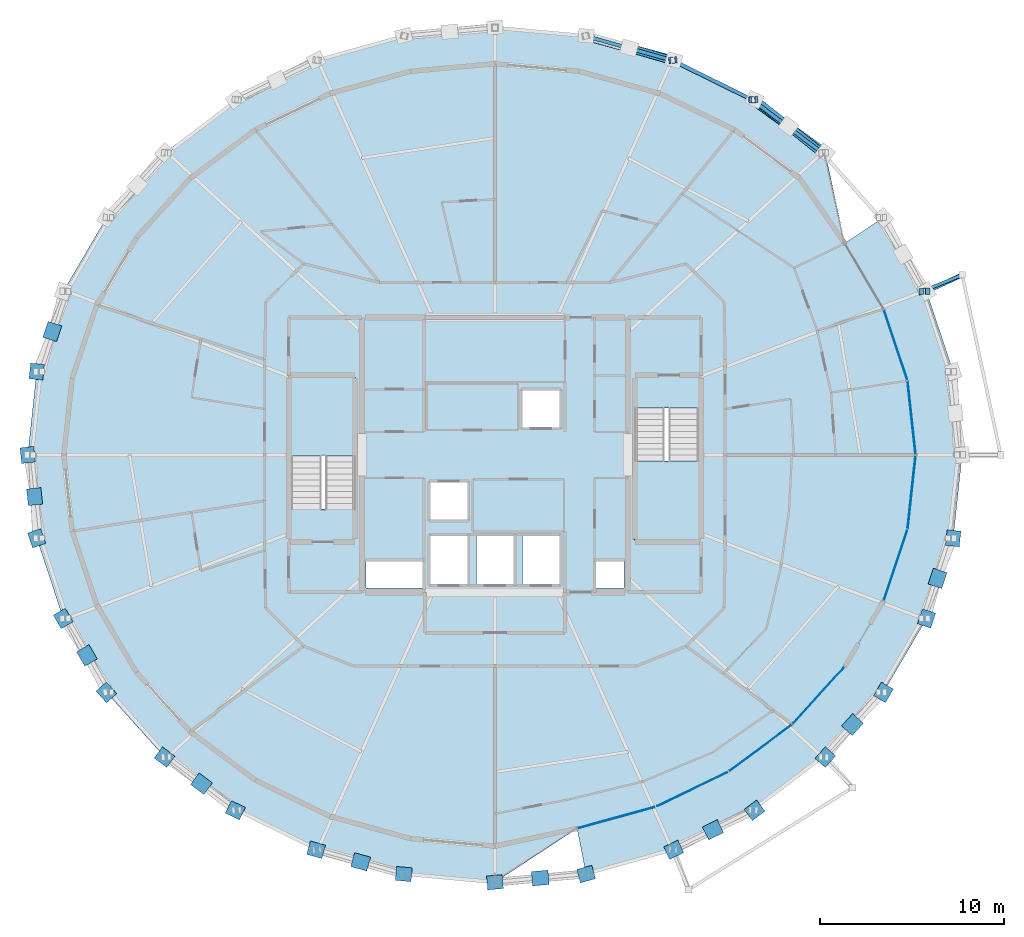
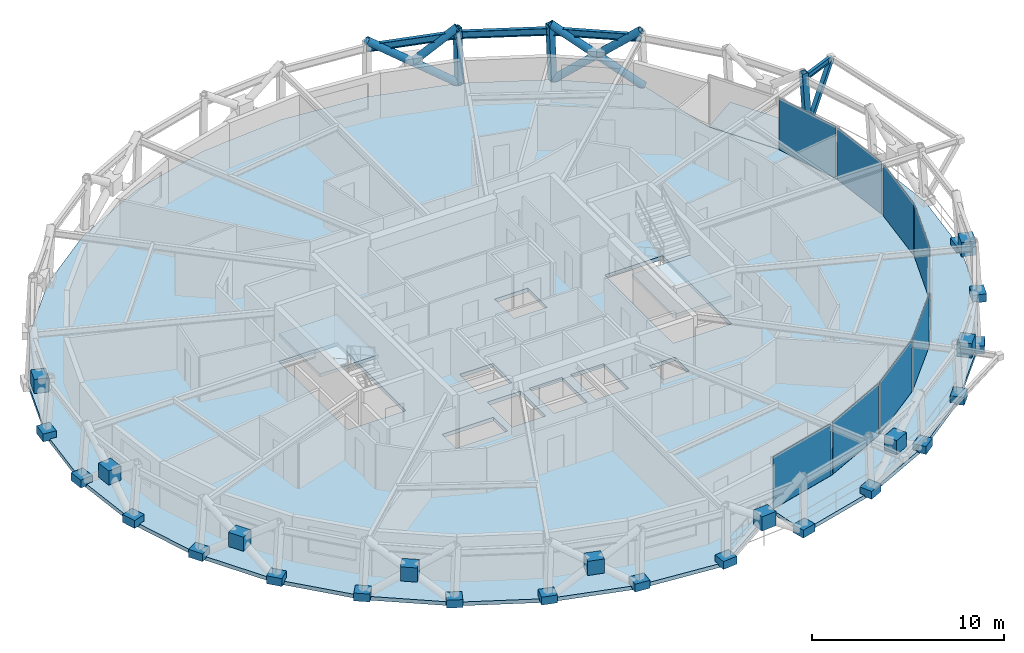
# One storey, part 12 of 18: 34 plates, 9 members, 4 beams, 4 slabs, 4 elements without a shape of their own.
"""IFC4 building model written with IfcOpenShell, lengths in metres."""

from ifc_helpers import new_model, si_unit, direction, frame, origin, origin_2d, place, context, subcontext, project, spatial, polyline, rectangle, hollow_rectangle, hollow_circle, i_section, outline, extrude, material, layer, layer_set, material_profile, profile_set, type_object, element, aggregate, save


model = new_model("IFC4")

# Units and contexts
model_context = context("Model", 3, precision=1e-05, world=origin(), true_north=direction((0.0, 1.0)))
body_context = subcontext(model_context, "Body", "Model", "MODEL_VIEW")
ifc_project = project(units=[si_unit("LENGTHUNIT", "METRE"), si_unit("AREAUNIT", "SQUARE_METRE"), si_unit("VOLUMEUNIT", "CUBIC_METRE"), si_unit("PLANEANGLEUNIT", "RADIAN"), si_unit("MASSUNIT", "GRAM", prefix="KILO")], contexts=[model_context])

# Site, building, storey
site_placement = place(None, origin())
site = spatial("IfcSite", under=ifc_project, at=site_placement, CompositionType="ELEMENT")
building_placement = place(site_placement, origin())
building = spatial("IfcBuilding", under=site, at=building_placement, Name="Veldorina Hangang Commons", CompositionType="ELEMENT")
storey_placement = place(building_placement, frame((0.0, 0.0, 218.39990234375)))
storey = spatial("IfcBuildingStorey", under=building, at=storey_placement, Name="L56", CompositionType="ELEMENT", Elevation=218.39990234375)

# Beams
ifc_material_1 = material(Name="Steel SM355-TMC", Category="steel")
ifc_material_profile_1 = material_profile(ifc_material_1, i_section(OverallWidth=0.175048828125, OverallDepth=0.35009765625, WebThickness=0.007080078125, FlangeThickness=0.010986328125, FilletRadius=0.012939453125, at=origin_2d()), Name="H-350x175x7x11")
ifc_profile_set_1 = profile_set([ifc_material_profile_1], Name="Steel SM355-TMC")
beam_type_1 = type_object("IfcBeamType", Name="BM-FG350", PredefinedType="BEAM", material=ifc_profile_set_1)
beam_1_placement = place(storey_placement, frame((55.157470703125, 32.86083984375, 3.18505859375), z_axis=(0.923901614008, 0.382630118564, 0.0), x_axis=(-0.382630118564, 0.923901614008, 0.0)))
element("IfcBeam", 1, at=beam_1_placement, inside=storey, type_object=beam_type_1, Name="L57 tree balcony 2 bracket beam B", PredefinedType="BEAM", context=body_context, shape_type="SweptSolid", body=[
    extrude(i_section(OverallWidth=0.175048828125, OverallDepth=0.35009765625, WebThickness=0.007080078125, FlangeThickness=0.010986328125, FilletRadius=0.012939453125, at=origin_2d()), origin(), (0.0, 0.0, 1.0), 2.349853515625),
])
ifc_material_profile_2 = material_profile(ifc_material_1, i_section(OverallWidth=0.199951171875, OverallDepth=0.449951171875, WebThickness=0.009033203125, FlangeThickness=0.013916015625, FilletRadius=0.01611328125, at=origin_2d()), Name="H-450x200x9x14")
ifc_profile_set_2 = profile_set([ifc_material_profile_2], Name="Steel SM355-TMC")
beam_type_2 = type_object("IfcBeamType", Name="BM-RB450", PredefinedType="BEAM", material=ifc_profile_set_2)
beam_2_placement = place(storey_placement, frame((49.748046875, 40.373779296875, 3.135009765625), z_axis=(-0.79724663066, 0.603653716879, 0.0), x_axis=(-0.603653716879, -0.79724663066, 0.0)))
element("IfcBeam", 2, at=beam_2_placement, inside=storey, type_object=beam_type_2, Name="L56 perimeter hoop ring beam 04", PredefinedType="BEAM", context=body_context, shape_type="SweptSolid", body=[
    extrude(i_section(OverallWidth=0.199951171875, OverallDepth=0.449951171875, WebThickness=0.009033203125, FlangeThickness=0.013916015625, FilletRadius=0.01611328125, at=origin_2d()), origin(), (0.0, 0.0, 1.0), 4.770751953125),
])
beam_3_placement = place(storey_placement, frame((45.944580078125, 43.253662109375, 3.135009765625), z_axis=(-0.896896095875, 0.442241329146, 0.0), x_axis=(-0.442241329146, -0.896896095875, 0.0)))
element("IfcBeam", 3, at=beam_3_placement, inside=storey, type_object=beam_type_2, Name="L56 perimeter hoop ring beam 05", PredefinedType="BEAM", context=body_context, shape_type="SweptSolid", body=[
    extrude(i_section(OverallWidth=0.199951171875, OverallDepth=0.449951171875, WebThickness=0.009033203125, FlangeThickness=0.013916015625, FilletRadius=0.01611328125, at=origin_2d()), origin(), (0.0, 0.0, 1.0), 4.838134765625),
])
beam_4_placement = place(storey_placement, frame((41.605224609375, 45.393310546875, 3.135009765625), z_axis=(-0.962994608435, 0.269520656211, 0.0), x_axis=(-0.269520656211, -0.962994608435, 0.0)))
element("IfcBeam", 4, at=beam_4_placement, inside=storey, type_object=beam_type_2, Name="L56 perimeter hoop ring beam 06", PredefinedType="BEAM", context=body_context, shape_type="SweptSolid", body=[
    extrude(i_section(OverallWidth=0.199951171875, OverallDepth=0.449951171875, WebThickness=0.009033203125, FlangeThickness=0.013916015625, FilletRadius=0.01611328125, at=origin_2d()), origin(), (0.0, 0.0, 1.0), 4.8896484375),
])

# Members
ifc_material_profile_3 = material_profile(ifc_material_1, hollow_circle(Radius=0.22509765625, WallThickness=0.02197265625, at=origin_2d()), Name="CHS-450x22")
ifc_profile_set_3 = profile_set([ifc_material_profile_3], Name="Steel SM355-TMC")
member_type_1 = type_object("IfcMemberType", Name="DG-CHS450", PredefinedType="BRACE", material=ifc_profile_set_3)
member_1_placement = place(storey_placement, frame((49.91015625, 40.38134765625, 0.0), z_axis=(-0.654363226013, 0.471457458164, 0.59121623251), x_axis=(-0.584562685042, -0.811348548564, 0.0)))
element("IfcMember", 5, at=member_1_placement, inside=storey, type_object=member_type_1, Name="L56 continuous perimeter diagrid brace 04", PredefinedType="BRACE", context=body_context, shape_type="SweptSolid", body=[
    extrude(hollow_circle(Radius=0.22509765625, WallThickness=0.02197265625, at=origin_2d()), origin(), (0.0, 0.0, 1.0), 6.08935546875),
])
member_2_placement = place(storey_placement, frame((46.072021484375, 43.262451171875, 0.0), z_axis=(0.622749004886, -0.487897222229, 0.611669827157), x_axis=(0.616722424243, 0.787180698084, 0.0)))
element("IfcMember", 6, at=member_2_placement, inside=storey, type_object=member_type_1, Name="L56 split perimeter diagrid lower brace 05", PredefinedType="BRACE", context=body_context, shape_type="SweptSolid", body=[
    extrude(hollow_circle(Radius=0.22509765625, WallThickness=0.02197265625, at=origin_2d()), origin(), (0.0, 0.0, 1.0), 2.952880859375),
])
member_3_placement = place(storey_placement, frame((47.910888671875, 41.82177734375, 1.80615234375), z_axis=(0.618106666403, -0.493936052928, 0.611531948933), x_axis=(0.624271651176, 0.78120733838, 0.0)))
element("IfcMember", 7, at=member_3_placement, inside=storey, type_object=member_type_1, Name="L56 split perimeter diagrid upper brace 05", PredefinedType="BRACE", context=body_context, shape_type="SweptSolid", body=[
    extrude(hollow_circle(Radius=0.22509765625, WallThickness=0.02197265625, at=origin_2d()), origin(), (0.0, 0.0, 1.0), 2.93359375),
])
member_4_placement = place(storey_placement, frame((41.69287109375, 45.4033203125, 0.0), z_axis=(-0.781866924873, 0.212665577949, 0.586052441121), x_axis=(-0.26246159662, -0.964942438853, 0.0)))
element("IfcMember", 8, at=member_4_placement, inside=storey, type_object=member_type_1, Name="L56 continuous perimeter diagrid brace 06", PredefinedType="BRACE", context=body_context, shape_type="SweptSolid", body=[
    extrude(hollow_circle(Radius=0.22509765625, WallThickness=0.02197265625, at=origin_2d()), origin(), (0.0, 0.0, 1.0), 6.14306640625),
])
member_5_placement = place(storey_placement, frame((39.27978515625, 46.0595703125, 1.808837890625), z_axis=(0.770756348291, -0.222471268605, 0.597026956019), x_axis=(0.277319117856, 0.960777865519, 0.0)))
element("IfcMember", 9, at=member_5_placement, inside=storey, type_object=member_type_1, Name="L56 split perimeter diagrid upper brace 07", PredefinedType="BRACE", context=body_context, shape_type="SweptSolid", body=[
    extrude(hollow_circle(Radius=0.22509765625, WallThickness=0.02197265625, at=origin_2d()), origin(), (0.0, 0.0, 1.0), 3.000244140625),
])
ifc_material_profile_4 = material_profile(ifc_material_1, hollow_rectangle(XDim=0.25, YDim=0.25, WallThickness=0.011962890625, at=origin_2d()), Name="SHS-250x250x12")
ifc_profile_set_4 = profile_set([ifc_material_profile_4], Name="Steel SM355-TMC")
member_type_2 = type_object("IfcMemberType", Name="STR-SHS250", PredefinedType="STRUT", material=ifc_profile_set_4)
member_6_placement = place(storey_placement, frame((55.400634765625, 32.865478515625, 0.0), z_axis=(0.50350904588, 0.233614935305, 0.831806890281), x_axis=(-0.420878421571, 0.907117056535, 0.0)))
element("IfcMember", 10, at=member_6_placement, inside=storey, type_object=member_type_2, Name="L57 tree balcony 2 raking knee strut B", PredefinedType="STRUT", context=body_context, shape_type="SweptSolid", body=[
    extrude(hollow_rectangle(XDim=0.25, YDim=0.25, WallThickness=0.011962890625, at=origin_2d()), origin(), (0.0, 0.0, 1.0), 3.8291015625),
])
ifc_material_profile_5 = material_profile(ifc_material_1, hollow_rectangle(XDim=0.35009765625, YDim=0.35009765625, WallThickness=0.01611328125, at=origin_2d()), Name="SHS-350x350x16")
ifc_profile_set_5 = profile_set([ifc_material_profile_5], Name="Steel SM355-TMC")
member_type_3 = type_object("IfcMemberType", Name="STR-SHS350", PredefinedType="STRUT", material=ifc_profile_set_5)
member_7_placement = place(storey_placement, frame((55.400634765625, 32.865478515625, 0.0), z_axis=(-0.067390137599, -0.001285554834, 0.997725872524), x_axis=(0.019072835182, -0.999818096935, 0.0)))
element("IfcMember", 11, at=member_7_placement, inside=storey, type_object=member_type_3, Name="L56 perimeter ring node post 02", PredefinedType="STRUT", context=body_context, shape_type="SweptSolid", body=[
    extrude(hollow_rectangle(XDim=0.35009765625, YDim=0.35009765625, WallThickness=0.01611328125, at=origin_2d()), origin(), (0.0, 0.0, 1.0), 3.6083984375),
])
member_8_placement = place(storey_placement, frame((46.072021484375, 43.262451171875, 0.0), z_axis=(-0.040655195292, -0.00284586367, 0.999169182949), x_axis=(0.0698291277, -0.997558967142, 0.0)))
element("IfcMember", 12, at=member_8_placement, inside=storey, type_object=member_type_3, Name="L56 perimeter ring node post 05", PredefinedType="STRUT", context=body_context, shape_type="SweptSolid", body=[
    extrude(hollow_rectangle(XDim=0.35009765625, YDim=0.35009765625, WallThickness=0.01611328125, at=origin_2d()), origin(), (0.0, 0.0, 1.0), 3.60302734375),
])
member_9_placement = place(storey_placement, frame((41.69287109375, 45.4033203125, 0.0), z_axis=(-0.027928745542, -0.003118257997, 0.999605052828), x_axis=(0.110961016846, -0.993824759573, 0.0)))
element("IfcMember", 13, at=member_9_placement, inside=storey, type_object=member_type_3, Name="L56 perimeter ring node post 06", PredefinedType="STRUT", context=body_context, shape_type="SweptSolid", body=[
    extrude(hollow_rectangle(XDim=0.35009765625, YDim=0.35009765625, WallThickness=0.01611328125, at=origin_2d()), origin(), (0.0, 0.0, 1.0), 3.6015625),
])

# Curtain wall, plates
ifc_material_2 = material(Name="Glass Low-E Selective", Category="glass")
ifc_layer_1 = layer(ifc_material_2, 0.179931640625)
ifc_layer_set_1 = layer_set([ifc_layer_1], Name="Glass Low-E Selective")
curtain_wall_type = type_object("IfcCurtainWallType", Name="CW-SYS-Z3", PredefinedType="NOTDEFINED", material=ifc_layer_set_1)
curtain_wall_1_placement = place(storey_placement, origin())
curtain_wall_1 = element("IfcCurtainWall", 14, at=curtain_wall_1_placement, inside=storey, type_object=curtain_wall_type, Name="L56 unitised curtain wall CW-L56-R1", PredefinedType="NOTDEFINED")
ifc_material_3 = material(Name="Glass Low-E Triple IGU", Category="glass")
ifc_layer_2 = layer(ifc_material_3, 0.0400390625)
ifc_layer_set_2 = layer_set([ifc_layer_2], Name="Glass Low-E Triple IGU")
plate_type_1 = type_object("IfcPlateType", Name="CW-PNL-VIS", PredefinedType="CURTAIN_PANEL", material=ifc_layer_set_2)
plate_1_placement = place(storey_placement, frame((38.589111328125, 4.33740234375, 0.01513671875), z_axis=(0.0, 0.0, 1.0), x_axis=(0.964303674148, 0.264798836901, 0.0)))
plate_1 = element("IfcPlate", 15, at=plate_1_placement, type_object=plate_type_1, Name="CW-L56-R1 facet 1 glazed vision panel", PredefinedType="CURTAIN_PANEL", context=body_context, shape_type="SweptSolid", body=[
    extrude(rectangle(XDim=4.257080078125, YDim=0.0400390625, at=origin_2d()), origin(), (0.0, 0.0, 1.0), 3.2900390625),
])
plate_2_placement = place(storey_placement, frame((42.7001953125, 5.87890625, 0.01513671875), z_axis=(0.0, 0.0, 1.0), x_axis=(0.900166792241, 0.435545343388, 0.0)))
plate_2 = element("IfcPlate", 16, at=plate_2_placement, type_object=plate_type_1, Name="CW-L56-R1 facet 2 glazed vision panel", PredefinedType="CURTAIN_PANEL", context=body_context, shape_type="SweptSolid", body=[
    extrude(rectangle(XDim=4.20068359375, YDim=0.0400390625, at=origin_2d()), origin(), (0.0, 0.0, 1.0), 3.2900390625),
])
plate_3_placement = place(storey_placement, frame((46.39990234375, 8.11669921875, 0.01513671875), z_axis=(0.0, 0.0, 1.0), x_axis=(0.802734218669, 0.596336963619, 0.0)))
plate_3 = element("IfcPlate", 17, at=plate_3_placement, type_object=plate_type_1, Name="CW-L56-R1 facet 3 glazed vision panel", PredefinedType="CURTAIN_PANEL", context=body_context, shape_type="SweptSolid", body=[
    extrude(rectangle(XDim=4.125732421875, YDim=0.0400390625, at=origin_2d()), origin(), (0.0, 0.0, 1.0), 3.2900390625),
])
plate_4_placement = place(storey_placement, frame((49.54638671875, 10.96484375, 0.01513671875), z_axis=(0.0, 0.0, 1.0), x_axis=(0.671668869769, 0.740851489425, 0.0)))
plate_4 = element("IfcPlate", 18, at=plate_4_placement, type_object=plate_type_1, Name="CW-L56-R1 facet 4 glazed vision panel", PredefinedType="CURTAIN_PANEL", context=body_context, shape_type="SweptSolid", body=[
    extrude(rectangle(XDim=4.043212890625, YDim=0.0400390625, at=origin_2d()), origin(), (0.0, 0.0, 1.0), 3.2900390625),
])
aggregate(curtain_wall_1, [plate_1, plate_2, plate_3, plate_4])

curtain_wall_2_placement = place(storey_placement, origin())
curtain_wall_2 = element("IfcCurtainWall", 19, at=curtain_wall_2_placement, inside=storey, type_object=curtain_wall_type, Name="L56 unitised curtain wall CW-L56-R2", PredefinedType="NOTDEFINED")
plate_5_placement = place(storey_placement, frame((53.721435546875, 18.035400390625, 0.01513671875), z_axis=(0.0, 0.0, 1.0), x_axis=(0.317734959345, 0.948179569285, 0.0)))
plate_5 = element("IfcPlate", 20, at=plate_5_placement, type_object=plate_type_1, Name="CW-L56-R2 facet 1 glazed vision panel", PredefinedType="CURTAIN_PANEL", context=body_context, shape_type="SweptSolid", body=[
    extrude(rectangle(XDim=3.90478515625, YDim=0.0400390625, at=origin_2d()), origin(), (0.0, 0.0, 1.0), 3.2900390625),
])
plate_6_placement = place(storey_placement, frame((54.589599609375, 21.986083984375, 0.01513671875), z_axis=(0.0, 0.0, 1.0), x_axis=(0.108172866136, 0.994132099387, 0.0)))
plate_6 = element("IfcPlate", 21, at=plate_6_placement, type_object=plate_type_1, Name="CW-L56-R2 facet 2 glazed vision panel", PredefinedType="CURTAIN_PANEL", context=body_context, shape_type="SweptSolid", body=[
    extrude(rectangle(XDim=3.871826171875, YDim=0.0400390625, at=origin_2d()), origin(), (0.0, 0.0, 1.0), 3.2900390625),
])
plate_7_placement = place(storey_placement, frame((54.589599609375, 26.013916015625, 0.01513671875), z_axis=(0.0, 0.0, 1.0), x_axis=(-0.108172866136, 0.994132099387, 0.0)))
plate_7 = element("IfcPlate", 22, at=plate_7_placement, type_object=plate_type_1, Name="CW-L56-R2 facet 3 glazed vision panel", PredefinedType="CURTAIN_PANEL", context=body_context, shape_type="SweptSolid", body=[
    extrude(rectangle(XDim=3.871826171875, YDim=0.0400390625, at=origin_2d()), origin(), (0.0, 0.0, 1.0), 3.2900390625),
])
plate_8_placement = place(storey_placement, frame((53.721435546875, 29.964599609375, 0.01513671875), z_axis=(0.0, 0.0, 1.0), x_axis=(-0.317734959345, 0.948179569285, 0.0)))
plate_8 = element("IfcPlate", 23, at=plate_8_placement, type_object=plate_type_1, Name="CW-L56-R2 facet 4 glazed vision panel", PredefinedType="CURTAIN_PANEL", context=body_context, shape_type="SweptSolid", body=[
    extrude(rectangle(XDim=3.90478515625, YDim=0.0400390625, at=origin_2d()), origin(), (0.0, 0.0, 1.0), 3.2900390625),
])
aggregate(curtain_wall_2, [plate_5, plate_6, plate_7, plate_8])

# Plates
ifc_material_4 = material(Name="Steel SM460-TMC", Category="steel")
ifc_layer_3 = layer(ifc_material_4, 0.035888671875)
ifc_layer_set_3 = layer_set([ifc_layer_3], Name="Steel SM460-TMC")
plate_type_2 = type_object("IfcPlateType", Name="PL-STAR-36", PredefinedType="USERDEFINED", material=ifc_layer_set_3)
plate_9_placement = place(storey_placement, frame((8.00732421875, 30.689697265625, 1.3515625), z_axis=(0.0, 0.0, 1.0), x_axis=(-0.314787734517, -0.949162094796, 0.0)))
element("IfcPlate", 24, at=plate_9_placement, inside=storey, type_object=plate_type_2, Name="L56 diagrid X-crossing star-node gusset plate 14", ObjectType="GUSSET PLATE", PredefinedType="USERDEFINED", context=body_context, shape_type="SweptSolid", body=[
    extrude(rectangle(XDim=0.89990234375, YDim=0.780029296875, at=origin_2d()), origin(), (0.0, 0.0, 1.0), 0.89990234375),
])
for number, where, z_axis, x_axis, name in (
    (25, (7.157958984375, 28.51953125, -0.08984375), (0.0, 0.0, 1.0), (-0.107062342669, -0.994252309418, 0.0), "L56 diagrid star-node gusset plate 15"),
    (26, (6.67138671875, 24.0, -0.08984375), (0.0, 0.0, 1.0), (0.107062342669, -0.994252309418, 0.0), "L56 diagrid star-node gusset plate 16"),
):
    element("IfcPlate", number, at=place(storey_placement, frame(where, z_axis=z_axis, x_axis=x_axis)), inside=storey, type_object=plate_type_2, Name=name, ObjectType="GUSSET PLATE", PredefinedType="USERDEFINED", context=body_context, shape_type="SweptSolid", body=[
        extrude(rectangle(XDim=0.85009765625, YDim=0.75, at=origin_2d()), origin(), (0.0, 0.0, 1.0), 0.5),
    ])
plate_10_placement = place(storey_placement, frame((7.043701171875, 21.74072265625, 1.350830078125), z_axis=(0.0, 0.0, 1.0), x_axis=(0.107062342669, -0.994252309418, 0.0)))
element("IfcPlate", 27, at=plate_10_placement, inside=storey, type_object=plate_type_2, Name="L56 diagrid X-crossing star-node gusset plate 16", ObjectType="GUSSET PLATE", PredefinedType="USERDEFINED", context=body_context, shape_type="SweptSolid", body=[
    extrude(rectangle(XDim=0.89990234375, YDim=0.780029296875, at=origin_2d()), origin(), (0.0, 0.0, 1.0), 0.89990234375),
])
for number, where, z_axis, x_axis, name in (
    (28, (7.157958984375, 19.48046875, -0.08984375), (0.0, 0.0, 1.0), (0.314787734517, -0.949162094796, 0.0), "L56 diagrid star-node gusset plate 17"),
    (29, (8.599365234375, 15.134521484375, -0.08984375), (0.0, 0.0, 1.0), (0.504572830409, -0.863369132419, 0.0), "L56 diagrid star-node gusset plate 18"),
):
    element("IfcPlate", number, at=place(storey_placement, frame(where, z_axis=z_axis, x_axis=x_axis)), inside=storey, type_object=plate_type_2, Name=name, ObjectType="GUSSET PLATE", PredefinedType="USERDEFINED", context=body_context, shape_type="SweptSolid", body=[
        extrude(rectangle(XDim=0.85009765625, YDim=0.75, at=origin_2d()), origin(), (0.0, 0.0, 1.0), 0.5),
    ])
plate_11_placement = place(storey_placement, frame((9.881103515625, 13.132080078125, 1.352783203125), z_axis=(0.0, 0.0, 1.0), x_axis=(0.504572830409, -0.863369132419, 0.0)))
element("IfcPlate", 30, at=plate_11_placement, inside=storey, type_object=plate_type_2, Name="L56 diagrid X-crossing star-node gusset plate 18", ObjectType="GUSSET PLATE", PredefinedType="USERDEFINED", context=body_context, shape_type="SweptSolid", body=[
    extrude(rectangle(XDim=0.89990234375, YDim=0.780029296875, at=origin_2d()), origin(), (0.0, 0.0, 1.0), 0.89990234375),
])
for number, where, z_axis, x_axis, name in (
    (31, (10.93994140625, 11.12939453125, -0.08984375), (0.0, 0.0, 1.0), (0.667832555471, -0.744311546231, 0.0), "L56 diagrid star-node gusset plate 19"),
    (32, (14.08984375, 7.61865234375, -0.08984375), (0.0, 0.0, 1.0), (0.799758007688, -0.600322520933, 0.0), "L56 diagrid star-node gusset plate 20"),
):
    element("IfcPlate", number, at=place(storey_placement, frame(where, z_axis=z_axis, x_axis=x_axis)), inside=storey, type_object=plate_type_2, Name=name, ObjectType="GUSSET PLATE", PredefinedType="USERDEFINED", context=body_context, shape_type="SweptSolid", body=[
        extrude(rectangle(XDim=0.85009765625, YDim=0.75, at=origin_2d()), origin(), (0.0, 0.0, 1.0), 0.5),
    ])
plate_12_placement = place(storey_placement, frame((16.089111328125, 6.17822265625, 1.356201171875), z_axis=(0.0, 0.0, 1.0), x_axis=(0.799758007688, -0.600322520933, 0.0)))
element("IfcPlate", 33, at=plate_12_placement, inside=storey, type_object=plate_type_2, Name="L56 diagrid X-crossing star-node gusset plate 20", ObjectType="GUSSET PLATE", PredefinedType="USERDEFINED", context=body_context, shape_type="SweptSolid", body=[
    extrude(rectangle(XDim=0.89990234375, YDim=0.780029296875, at=origin_2d()), origin(), (0.0, 0.0, 1.0), 0.89990234375),
])
for number, where, z_axis, x_axis, name in (
    (34, (17.927978515625, 4.737548828125, -0.08984375), (0.0, 0.0, 1.0), (0.898388157769, -0.439202365636, 0.0), "L56 diagrid star-node gusset plate 21"),
    (35, (22.30712890625, 2.5966796875, -0.08984375), (0.0, 0.0, 1.0), (0.963593130299, -0.267372921666, 0.0), "L56 diagrid star-node gusset plate 22"),
):
    element("IfcPlate", number, at=place(storey_placement, frame(where, z_axis=z_axis, x_axis=x_axis)), inside=storey, type_object=plate_type_2, Name=name, ObjectType="GUSSET PLATE", PredefinedType="USERDEFINED", context=body_context, shape_type="SweptSolid", body=[
        extrude(rectangle(XDim=0.85009765625, YDim=0.75, at=origin_2d()), origin(), (0.0, 0.0, 1.0), 0.5),
    ])
plate_13_placement = place(storey_placement, frame((24.72021484375, 1.9404296875, 1.35888671875), z_axis=(0.0, 0.0, 1.0), x_axis=(0.963593130299, -0.267372921666, 0.0)))
element("IfcPlate", 36, at=plate_13_placement, inside=storey, type_object=plate_type_2, Name="L56 diagrid X-crossing star-node gusset plate 22", ObjectType="GUSSET PLATE", PredefinedType="USERDEFINED", context=body_context, shape_type="SweptSolid", body=[
    extrude(rectangle(XDim=0.89990234375, YDim=0.780029296875, at=origin_2d()), origin(), (0.0, 0.0, 1.0), 0.89990234375),
])
for number, where, z_axis, x_axis, name in (
    (37, (27.05859375, 1.2783203125, -0.08984375), (0.0, 0.0, 1.0), (0.995967809887, -0.089711324082, 0.0), "L56 diagrid star-node gusset plate 23"),
    (38, (32.0, 0.833251953125, -0.08984375), (0.0, 0.0, 1.0), (0.995967809887, 0.089711324082, 0.0), "L56 diagrid star-node gusset plate 24"),
):
    element("IfcPlate", number, at=place(storey_placement, frame(where, z_axis=z_axis, x_axis=x_axis)), inside=storey, type_object=plate_type_2, Name=name, ObjectType="GUSSET PLATE", PredefinedType="USERDEFINED", context=body_context, shape_type="SweptSolid", body=[
        extrude(rectangle(XDim=0.85009765625, YDim=0.75, at=origin_2d()), origin(), (0.0, 0.0, 1.0), 0.5),
    ])
plate_14_placement = place(storey_placement, frame((34.457763671875, 1.06298828125, 1.359375), z_axis=(0.0, 0.0, 1.0), x_axis=(0.995967809887, 0.089711324082, 0.0)))
element("IfcPlate", 39, at=plate_14_placement, inside=storey, type_object=plate_type_2, Name="L56 diagrid X-crossing star-node gusset plate 24", ObjectType="GUSSET PLATE", PredefinedType="USERDEFINED", context=body_context, shape_type="SweptSolid", body=[
    extrude(rectangle(XDim=0.89990234375, YDim=0.780029296875, at=origin_2d()), origin(), (0.0, 0.0, 1.0), 0.89990234375),
])
for number, where, z_axis, x_axis, name in (
    (40, (36.94140625, 1.2783203125, -0.08984375), (0.0, 0.0, 1.0), (0.963593130299, 0.267372921666, 0.0), "L56 diagrid star-node gusset plate 25"),
    (41, (41.69287109375, 2.5966796875, -0.08984375), (0.0, 0.0, 1.0), (0.898388157769, 0.439202365636, 0.0), "L56 diagrid star-node gusset plate 26"),
):
    element("IfcPlate", number, at=place(storey_placement, frame(where, z_axis=z_axis, x_axis=x_axis)), inside=storey, type_object=plate_type_2, Name=name, ObjectType="GUSSET PLATE", PredefinedType="USERDEFINED", context=body_context, shape_type="SweptSolid", body=[
        extrude(rectangle(XDim=0.85009765625, YDim=0.75, at=origin_2d()), origin(), (0.0, 0.0, 1.0), 0.5),
    ])
plate_15_placement = place(storey_placement, frame((43.818359375, 3.6767578125, 1.35791015625), z_axis=(0.0, 0.0, 1.0), x_axis=(0.898388157769, 0.439202365636, 0.0)))
element("IfcPlate", 42, at=plate_15_placement, inside=storey, type_object=plate_type_2, Name="L56 diagrid X-crossing star-node gusset plate 26", ObjectType="GUSSET PLATE", PredefinedType="USERDEFINED", context=body_context, shape_type="SweptSolid", body=[
    extrude(rectangle(XDim=0.89990234375, YDim=0.780029296875, at=origin_2d()), origin(), (0.0, 0.0, 1.0), 0.89990234375),
])
for number, where, z_axis, x_axis, name in (
    (43, (46.072021484375, 4.737548828125, -0.08984375), (0.0, 0.0, 1.0), (0.799758007688, 0.600322520933, 0.0), "L56 diagrid star-node gusset plate 27"),
    (44, (49.91015625, 7.61865234375, -0.08984375), (0.0, 0.0, 1.0), (0.667832555471, 0.744311546231, 0.0), "L56 diagrid star-node gusset plate 28"),
):
    element("IfcPlate", number, at=place(storey_placement, frame(where, z_axis=z_axis, x_axis=x_axis)), inside=storey, type_object=plate_type_2, Name=name, ObjectType="GUSSET PLATE", PredefinedType="USERDEFINED", context=body_context, shape_type="SweptSolid", body=[
        extrude(rectangle(XDim=0.85009765625, YDim=0.75, at=origin_2d()), origin(), (0.0, 0.0, 1.0), 0.5),
    ])
plate_16_placement = place(storey_placement, frame((51.37939453125, 9.381591796875, 1.3544921875), z_axis=(0.0, 0.0, 1.0), x_axis=(0.667832555471, 0.744311546231, 0.0)))
element("IfcPlate", 45, at=plate_16_placement, inside=storey, type_object=plate_type_2, Name="L56 diagrid X-crossing star-node gusset plate 28", ObjectType="GUSSET PLATE", PredefinedType="USERDEFINED", context=body_context, shape_type="SweptSolid", body=[
    extrude(rectangle(XDim=0.89990234375, YDim=0.780029296875, at=origin_2d()), origin(), (0.0, 0.0, 1.0), 0.89990234375),
])
for number, where, z_axis, x_axis, name in (
    (46, (53.06005859375, 11.12939453125, -0.08984375), (0.0, 0.0, 1.0), (0.504572830409, 0.863369132419, 0.0), "L56 diagrid star-node gusset plate 29"),
    (47, (55.400634765625, 15.134521484375, -0.08984375), (0.0, 0.0, 1.0), (0.314787734517, 0.949162094796, 0.0), "L56 diagrid star-node gusset plate 30"),
):
    element("IfcPlate", number, at=place(storey_placement, frame(where, z_axis=z_axis, x_axis=x_axis)), inside=storey, type_object=plate_type_2, Name=name, ObjectType="GUSSET PLATE", PredefinedType="USERDEFINED", context=body_context, shape_type="SweptSolid", body=[
        extrude(rectangle(XDim=0.85009765625, YDim=0.75, at=origin_2d()), origin(), (0.0, 0.0, 1.0), 0.5),
    ])
plate_17_placement = place(storey_placement, frame((55.99267578125, 17.310302734375, 1.3515625), z_axis=(0.0, 0.0, 1.0), x_axis=(0.314787734517, 0.949162094796, 0.0)))
element("IfcPlate", 48, at=plate_17_placement, inside=storey, type_object=plate_type_2, Name="L56 diagrid X-crossing star-node gusset plate 30", ObjectType="GUSSET PLATE", PredefinedType="USERDEFINED", context=body_context, shape_type="SweptSolid", body=[
    extrude(rectangle(XDim=0.89990234375, YDim=0.780029296875, at=origin_2d()), origin(), (0.0, 0.0, 1.0), 0.89990234375),
])
plate_18_placement = place(storey_placement, frame((56.842041015625, 19.48046875, -0.08984375), z_axis=(0.0, 0.0, 1.0), x_axis=(0.107062342669, 0.994252309418, 0.0)))
element("IfcPlate", 49, at=plate_18_placement, inside=storey, type_object=plate_type_2, Name="L56 diagrid star-node gusset plate 31", ObjectType="GUSSET PLATE", PredefinedType="USERDEFINED", context=body_context, shape_type="SweptSolid", body=[
    extrude(rectangle(XDim=0.85009765625, YDim=0.75, at=origin_2d()), origin(), (0.0, 0.0, 1.0), 0.5),
])

# Slabs
ifc_material_5 = material(Name="Concrete C40/50", Category="concrete")
ifc_layer_4 = layer(ifc_material_5, 0.239990234375)
ifc_layer_set_4 = layer_set([ifc_layer_4], Name="Concrete C40/50")
slab_type_1 = type_object("IfcSlabType", Name="SL-FLR-240", PredefinedType="FLOOR", material=ifc_layer_set_4)
slab_1_placement = place(storey_placement, frame((0.0, 0.0, -0.239990234375)))
element("IfcSlab", 50, at=slab_1_placement, inside=storey, type_object=slab_type_1, Name="L56 tower structural floor slab", PredefinedType="FLOOR", context=body_context, shape_type="SweptSolid", body=[
    extrude(outline(polyline([(54.80859375, 24.0), (54.370361328125, 28.028076171875), (53.072509765625, 31.901123046875), (50.964599609375, 35.470703125), (49.91015625, 40.38134765625), (46.072021484375, 43.262451171875), (41.69287109375, 45.4033203125), (36.94140625, 46.7216796875), (32.0, 47.166748046875), (27.05859375, 46.7216796875), (22.30712890625, 45.4033203125), (17.927978515625, 43.262451171875), (14.08984375, 40.38134765625), (10.93994140625, 36.87060546875), (8.599365234375, 32.865478515625), (7.157958984375, 28.51953125), (6.67138671875, 24.0), (7.157958984375, 19.48046875), (8.599365234375, 15.134521484375), (10.93994140625, 11.12939453125), (14.08984375, 7.61865234375), (17.927978515625, 4.737548828125), (22.30712890625, 2.5966796875), (27.05859375, 1.2783203125), (32.0, 0.833251953125), (36.44970703125, 3.75), (40.728515625, 4.9248046875), (44.671875, 6.8330078125), (48.128173828125, 9.400634765625), (50.964599609375, 12.529296875), (53.072509765625, 16.098876953125), (54.370361328125, 19.971923828125), (54.80859375, 24.0)]), holes=[polyline([(20.949951171875, 21.05810546875), (20.949951171875, 28.199951171875), (24.449951171875, 28.199951171875), (24.449951171875, 21.05810546875), (20.949951171875, 21.05810546875)]), polyline([(43.050048828125, 26.5419921875), (43.050048828125, 19.39990234375), (39.550048828125, 19.39990234375), (39.550048828125, 26.5419921875), (43.050048828125, 26.5419921875)]), polyline([(33.5, 27.5), (35.5, 27.5), (35.5, 25.5), (33.5, 25.5), (33.5, 27.5)]), polyline([(28.5, 22.5), (30.5, 22.5), (30.5, 20.5), (28.5, 20.5), (28.5, 22.5)]), polyline([(28.5, 19.60009765625), (30.5, 19.60009765625), (30.5, 17.0), (28.5, 17.0), (28.5, 19.60009765625)]), polyline([(31.0, 19.60009765625), (33.0, 19.60009765625), (33.0, 17.0), (31.0, 17.0), (31.0, 19.60009765625)]), polyline([(33.5, 19.60009765625), (35.5, 19.60009765625), (35.5, 17.0), (33.5, 17.0), (33.5, 19.60009765625)]), polyline([(25.0, 18.25), (28.10009765625, 18.25), (28.10009765625, 16.800048828125), (25.0, 16.800048828125), (25.0, 18.25)]), polyline([(37.449951171875, 18.25), (39.0, 18.25), (39.0, 16.800048828125), (37.449951171875, 16.800048828125), (37.449951171875, 18.25)])]), origin(), (0.0, 0.0, 1.0), 0.239990234375),
])
slab_2_placement = place(storey_placement, frame((0.0, 0.0, -0.239990234375)))
element("IfcSlab", 51, at=slab_2_placement, inside=storey, type_object=slab_type_1, Name="L56 sky-garden loggia outdoor slab", PredefinedType="FLOOR", context=body_context, shape_type="SweptSolid", body=[
    extrude(outline(polyline([(53.06005859375, 36.87060546875), (55.400634765625, 32.865478515625), (56.842041015625, 28.51953125), (57.32861328125, 24.0), (56.842041015625, 19.48046875), (55.400634765625, 15.134521484375), (53.06005859375, 11.12939453125), (49.91015625, 7.61865234375), (46.072021484375, 4.737548828125), (41.69287109375, 2.5966796875), (36.94140625, 1.2783203125), (36.452880859375, 3.734130859375), (36.4560546875, 3.736083984375), (40.732421875, 4.910400390625), (40.73388671875, 4.910888671875), (40.735107421875, 4.911376953125), (44.67822265625, 6.8193359375), (44.6796875, 6.820068359375), (44.6806640625, 6.82080078125), (48.13720703125, 9.388671875), (48.13818359375, 9.389404296875), (48.139404296875, 9.390380859375), (50.975830078125, 12.519287109375), (50.976806640625, 12.5205078125), (50.9775390625, 12.521728515625), (53.08544921875, 16.09130859375), (53.086181640625, 16.092529296875), (53.086669921875, 16.093994140625), (54.384521484375, 19.96728515625), (54.385009765625, 19.96875), (54.38525390625, 19.970458984375), (54.823486328125, 23.998291015625), (54.82373046875, 24.0), (54.823486328125, 24.001708984375), (54.38525390625, 28.029541015625), (54.385009765625, 28.03125), (54.384521484375, 28.03271484375), (53.086669921875, 31.906005859375), (53.086181640625, 31.907470703125), (53.08544921875, 31.90869140625), (50.97900390625, 35.476318359375), (50.97802734375, 35.479736328125), (53.06005859375, 36.87060546875)])), origin(), (0.0, 0.0, 1.0), 0.239990234375),
])

# Stair, slab
stair_type = type_object("IfcStairType", Name="STR-DOG-1650-20R", PredefinedType="HALF_TURN_STAIR", material=ifc_material_5)
stair_1_placement = place(storey_placement, origin())
stair_1 = element("IfcStair", 52, at=stair_1_placement, inside=storey, type_object=stair_type, Name="L56 Exit stair ST-1", PredefinedType="HALF_TURN_STAIR")
ifc_layer_5 = layer(ifc_material_5, 0.199951171875)
ifc_layer_set_5 = layer_set([ifc_layer_5], Name="Concrete C40/50")
slab_type_2 = type_object("IfcSlabType", Name="SL-LND-200", PredefinedType="LANDING", material=ifc_layer_set_5)
slab_3_placement = place(storey_placement, frame((0.0, 0.0, 1.60009765625)))
slab_3 = element("IfcSlab", 53, at=slab_3_placement, type_object=slab_type_2, Name="ST-1 landing 1", PredefinedType="LANDING", context=body_context, shape_type="SweptSolid", body=[
    extrude(outline(polyline([(24.449951171875, 23.929931640625), (24.449951171875, 28.199951171875), (20.949951171875, 28.199951171875), (20.949951171875, 23.929931640625), (24.449951171875, 23.929931640625)])), origin(), (0.0, 0.0, 1.0), 0.199951171875),
])
aggregate(stair_1, [slab_3])

stair_2_placement = place(storey_placement, origin())
stair_2 = element("IfcStair", 54, at=stair_2_placement, inside=storey, type_object=stair_type, Name="L56 Exit stair ST-2", PredefinedType="HALF_TURN_STAIR")
slab_4_placement = place(storey_placement, frame((0.0, 0.0, 1.60009765625)))
slab_4 = element("IfcSlab", 55, at=slab_4_placement, type_object=slab_type_2, Name="ST-2 landing 1", PredefinedType="LANDING", context=body_context, shape_type="SweptSolid", body=[
    extrude(outline(polyline([(39.550048828125, 23.669921875), (39.550048828125, 19.39990234375), (43.050048828125, 19.39990234375), (43.050048828125, 23.669921875), (39.550048828125, 23.669921875)])), origin(), (0.0, 0.0, 1.0), 0.199951171875),
])
aggregate(stair_2, [slab_4])

save(model, "model.ifc")
